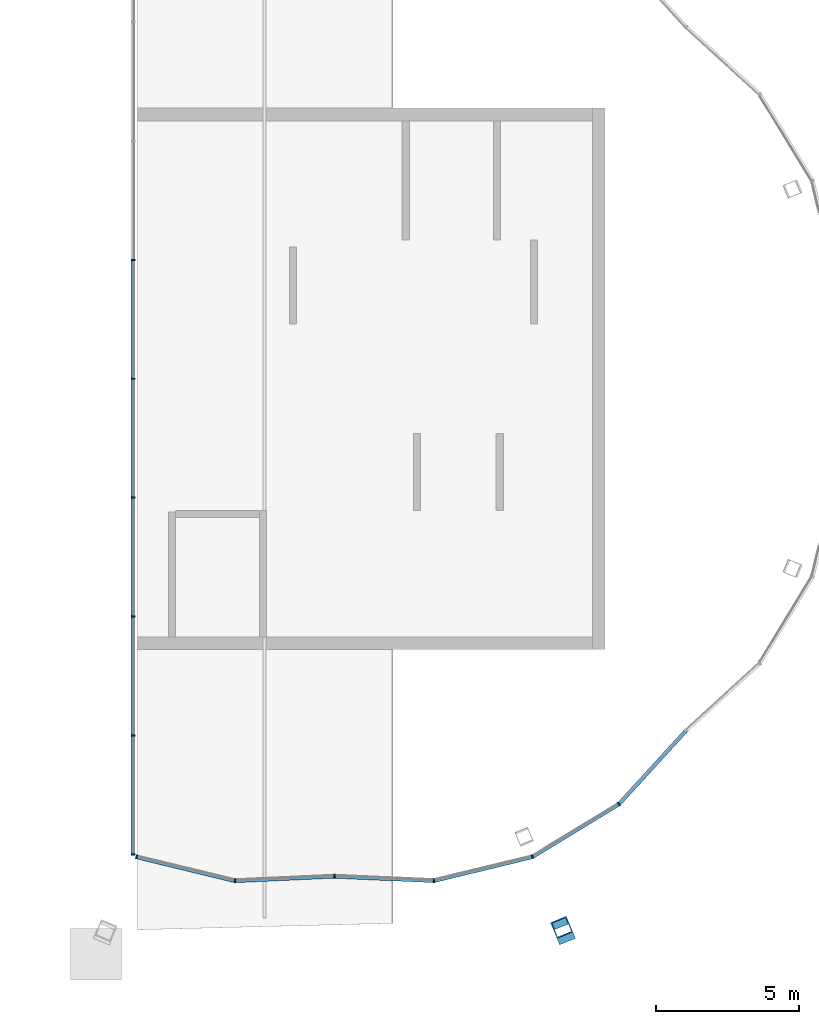
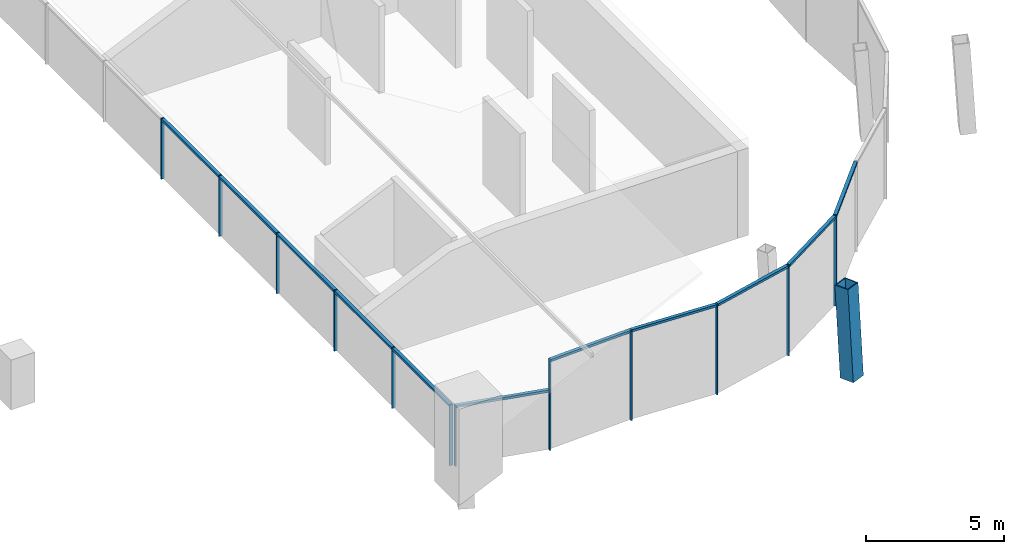
# One storey, part 2 of 14: 24 members, 5 elements without a shape of their own.
"""IFC4 building model written with IfcOpenShell, lengths in metres."""

from ifc_helpers import new_model, si_unit, direction, frame, origin, origin_2d, place, context, subcontext, project, spatial, rectangle, hollow_rectangle, extrude, material, material_profile, profile_set, type_object, element, aggregate, save


model = new_model("IFC4")

# Units and contexts
model_context = context("Model", 3, precision=1e-05, world=origin(), true_north=direction((0.0, 1.0)))
body_context = subcontext(model_context, "Body", "Model", "MODEL_VIEW")
ifc_project = project(units=[si_unit("LENGTHUNIT", "METRE"), si_unit("AREAUNIT", "SQUARE_METRE"), si_unit("VOLUMEUNIT", "CUBIC_METRE"), si_unit("PLANEANGLEUNIT", "RADIAN"), si_unit("MASSUNIT", "GRAM", prefix="KILO")], contexts=[model_context])

# Site, building, storey
site_placement = place(None, origin())
site = spatial("IfcSite", under=ifc_project, at=site_placement, CompositionType="ELEMENT")
building_placement = place(site_placement, origin())
building = spatial("IfcBuilding", under=site, at=building_placement, Name="Ogive Gate Towers", CompositionType="ELEMENT")
storey_placement = place(building_placement, frame((0.0, 0.0, 306.0)))
storey = spatial("IfcBuildingStorey", under=building, at=storey_placement, Name="L72", CompositionType="ELEMENT", Elevation=306.0)

# Curtain wall, members
ifc_material_1 = material(Name="Pale metal aluminium", Category="aluminium")
curtain_wall_type = type_object("IfcCurtainWallType", Name="Crown lean wall", PredefinedType="NOTDEFINED", material=ifc_material_1)
curtain_wall_1_placement = place(storey_placement, origin())
curtain_wall_1 = element("IfcCurtainWall", 1, at=curtain_wall_1_placement, inside=storey, type_object=curtain_wall_type, Name="CW5 T1 ECW04", PredefinedType="NOTDEFINED")
ifc_material_profile_1 = material_profile(ifc_material_1, rectangle(XDim=0.139892578125, YDim=0.050048828125, at=origin_2d()), Name="50 x 140 aluminium box")
ifc_profile_set_1 = profile_set([ifc_material_profile_1], Name="Pale metal aluminium")
member_type_1 = type_object("IfcMemberType", Name="Crown lean wall mullion 50 x 140", PredefinedType="MULLION", material=ifc_profile_set_1)
member_1_placement = place(storey_placement, frame((-43.059326171875, 0.0, -0.300048828125), z_axis=(0.0, 0.0, 1.0), x_axis=(1.0, 0.0, 0.0)))
member_1 = element("IfcMember", 2, at=member_1_placement, type_object=member_type_1, Name="CW5 mullion", PredefinedType="MULLION", context=body_context, shape_type="SweptSolid", body=[
    extrude(rectangle(XDim=0.139892578125, YDim=0.050048828125, at=origin_2d()), origin(), (0.0, 0.0, 1.0), 2.679931640625),
])
member_2_placement = place(storey_placement, frame((-43.059326171875, 4.1708984375, -0.300048828125), z_axis=(0.0, 0.0, 1.0), x_axis=(1.0, 0.0, 0.0)))
member_2 = element("IfcMember", 3, at=member_2_placement, type_object=member_type_1, Name="CW5 mullion", PredefinedType="MULLION", context=body_context, shape_type="SweptSolid", body=[
    extrude(rectangle(XDim=0.139892578125, YDim=0.050048828125, at=origin_2d()), origin(), (0.0, 0.0, 1.0), 2.679931640625),
])

curtain_wall_2_placement = place(storey_placement, origin())
curtain_wall_2 = element("IfcCurtainWall", 4, at=curtain_wall_2_placement, inside=storey, type_object=curtain_wall_type, Name="CW5 T1 ECW05", PredefinedType="NOTDEFINED")
member_3_placement = place(storey_placement, frame((-43.059326171875, -8.342041015625, -0.300048828125), z_axis=(0.0, 0.0, 1.0), x_axis=(1.0, 0.0, 0.0)))
member_3 = element("IfcMember", 5, at=member_3_placement, type_object=member_type_1, Name="CW5 mullion", PredefinedType="MULLION", context=body_context, shape_type="SweptSolid", body=[
    extrude(rectangle(XDim=0.139892578125, YDim=0.050048828125, at=origin_2d()), origin(), (0.0, 0.0, 1.0), 2.679931640625),
])
member_4_placement = place(storey_placement, frame((-43.059326171875, -4.1708984375, -0.300048828125), z_axis=(0.0, 0.0, 1.0), x_axis=(1.0, 0.0, 0.0)))
member_4 = element("IfcMember", 6, at=member_4_placement, type_object=member_type_1, Name="CW5 mullion", PredefinedType="MULLION", context=body_context, shape_type="SweptSolid", body=[
    extrude(rectangle(XDim=0.139892578125, YDim=0.050048828125, at=origin_2d()), origin(), (0.0, 0.0, 1.0), 2.679931640625),
])

curtain_wall_3_placement = place(storey_placement, origin())
curtain_wall_3 = element("IfcCurtainWall", 7, at=curtain_wall_3_placement, inside=storey, type_object=curtain_wall_type, Name="CW5 T1 ECW06", PredefinedType="NOTDEFINED")
member_5_placement = place(storey_placement, frame((-35.99853515625, -17.4501953125, -0.300048828125), z_axis=(0.0, 0.0, 1.0), x_axis=(-0.045275811329, 0.998974524654, 0.0)))
member_5 = element("IfcMember", 8, at=member_5_placement, type_object=member_type_1, Name="CW5 mullion", PredefinedType="MULLION", context=body_context, shape_type="SweptSolid", body=[
    extrude(rectangle(XDim=0.139892578125, YDim=0.050048828125, at=origin_2d()), origin(), (0.0, 0.0, 1.0), 4.0),
])
member_6_placement = place(storey_placement, frame((-39.489013671875, -17.60791015625, -0.300048828125), z_axis=(0.0, 0.0, 1.0), x_axis=(0.096158460724, 0.995366038416, 0.0)))
member_6 = element("IfcMember", 9, at=member_6_placement, type_object=member_type_1, Name="CW5 mullion", PredefinedType="MULLION", context=body_context, shape_type="SweptSolid", body=[
    extrude(rectangle(XDim=0.139892578125, YDim=0.050048828125, at=origin_2d()), origin(), (0.0, 0.0, 1.0), 4.0),
])
member_7_placement = place(storey_placement, frame((-42.94189453125, -16.77099609375, -0.300048828125), z_axis=(0.0, 0.0, 1.0), x_axis=(0.23568492183, 0.971829520864, 0.0)))
member_7 = element("IfcMember", 10, at=member_7_placement, type_object=member_type_1, Name="CW5 mullion", PredefinedType="MULLION", context=body_context, shape_type="SweptSolid", body=[
    extrude(rectangle(XDim=0.139892578125, YDim=0.050048828125, at=origin_2d()), origin(), (0.0, 0.0, 1.0), 2.677734375),
])

curtain_wall_4_placement = place(storey_placement, origin())
curtain_wall_4 = element("IfcCurtainWall", 11, at=curtain_wall_4_placement, inside=storey, type_object=curtain_wall_type, Name="CW5 T1 ECW06b", PredefinedType="NOTDEFINED")
member_8_placement = place(storey_placement, frame((-43.059326171875, -16.68408203125, -0.300048828125), z_axis=(0.0, 0.0, 1.0), x_axis=(1.0, 0.0, 0.0)))
member_8 = element("IfcMember", 12, at=member_8_placement, type_object=member_type_1, Name="CW5 mullion", PredefinedType="MULLION", context=body_context, shape_type="SweptSolid", body=[
    extrude(rectangle(XDim=0.139892578125, YDim=0.050048828125, at=origin_2d()), origin(), (0.0, 0.0, 1.0), 2.679931640625),
])
member_9_placement = place(storey_placement, frame((-43.059326171875, -12.51318359375, -0.300048828125), z_axis=(0.0, 0.0, 1.0), x_axis=(1.0, 0.0, 0.0)))
member_9 = element("IfcMember", 13, at=member_9_placement, type_object=member_type_1, Name="CW5 mullion", PredefinedType="MULLION", context=body_context, shape_type="SweptSolid", body=[
    extrude(rectangle(XDim=0.139892578125, YDim=0.050048828125, at=origin_2d()), origin(), (0.0, 0.0, 1.0), 2.679931640625),
])

curtain_wall_5_placement = place(storey_placement, origin())
curtain_wall_5 = element("IfcCurtainWall", 14, at=curtain_wall_5_placement, inside=storey, type_object=curtain_wall_type, Name="CW5 T1 ECW07", PredefinedType="NOTDEFINED")
member_10_placement = place(storey_placement, frame((-26.016357421875, -14.91796875, -0.300048828125), z_axis=(0.0, 0.0, 1.0), x_axis=(-0.635822304907, 0.771835472483, 0.0)))
member_10 = element("IfcMember", 15, at=member_10_placement, type_object=member_type_1, Name="CW5 mullion", PredefinedType="MULLION", context=body_context, shape_type="SweptSolid", body=[
    extrude(rectangle(XDim=0.139892578125, YDim=0.050048828125, at=origin_2d()), origin(), (0.0, 0.0, 1.0), 4.0),
])
member_11_placement = place(storey_placement, frame((-29.0537109375, -16.76953125, -0.300048828125), z_axis=(0.0, 0.0, 1.0), x_axis=(-0.382667307567, 0.923886211456, 0.0)))
member_11 = element("IfcMember", 16, at=member_11_placement, type_object=member_type_1, Name="CW5 mullion", PredefinedType="MULLION", context=body_context, shape_type="SweptSolid", body=[
    extrude(rectangle(XDim=0.139892578125, YDim=0.050048828125, at=origin_2d()), origin(), (0.0, 0.0, 1.0), 4.0),
])
member_12_placement = place(storey_placement, frame((-32.510986328125, -17.60791015625, -0.300048828125), z_axis=(0.0, 0.0, 1.0), x_axis=(-0.096158460724, 0.995366038416, 0.0)))
member_12 = element("IfcMember", 17, at=member_12_placement, type_object=member_type_1, Name="CW5 mullion", PredefinedType="MULLION", context=body_context, shape_type="SweptSolid", body=[
    extrude(rectangle(XDim=0.139892578125, YDim=0.050048828125, at=origin_2d()), origin(), (0.0, 0.0, 1.0), 4.0),
])

# Member
ifc_material_profile_2 = material_profile(ifc_material_1, rectangle(XDim=0.139892578125, YDim=0.10009765625, at=origin_2d()), Name="100 x 140 aluminium box")
ifc_profile_set_2 = profile_set([ifc_material_profile_2], Name="Pale metal aluminium")
member_type_2 = type_object("IfcMemberType", Name="Crown lean wall transom 100 x 140", PredefinedType="USERDEFINED", material=ifc_profile_set_2)
member_13_placement = place(storey_placement, frame((-43.059326171875, 0.02490234375, 2.330078125), z_axis=(0.0, 1.0, 0.0), x_axis=(-1.0, 0.0, 0.0)))
member_13 = element("IfcMember", 18, at=member_13_placement, type_object=member_type_2, Name="CW5 transom", ObjectType="TRANSOM", PredefinedType="USERDEFINED", context=body_context, shape_type="SweptSolid", body=[
    extrude(rectangle(XDim=0.139892578125, YDim=0.10009765625, at=origin_2d()), origin(), (0.0, 0.0, 1.0), 4.12109375),
])

aggregate(curtain_wall_1, [member_1, member_2, member_13])

member_14_placement = place(storey_placement, frame((-43.059326171875, -8.31689453125, 2.330078125), z_axis=(0.0, 1.0, 0.0), x_axis=(-1.0, 0.0, 0.0)))
member_14 = element("IfcMember", 19, at=member_14_placement, type_object=member_type_2, Name="CW5 transom", ObjectType="TRANSOM", PredefinedType="USERDEFINED", context=body_context, shape_type="SweptSolid", body=[
    extrude(rectangle(XDim=0.139892578125, YDim=0.10009765625, at=origin_2d()), origin(), (0.0, 0.0, 1.0), 4.120849609375),
])

member_15_placement = place(storey_placement, frame((-43.059326171875, -4.14599609375, 2.330078125), z_axis=(0.0, 1.0, 0.0), x_axis=(-1.0, 0.0, 0.0)))
member_15 = element("IfcMember", 20, at=member_15_placement, type_object=member_type_2, Name="CW5 transom", ObjectType="TRANSOM", PredefinedType="USERDEFINED", context=body_context, shape_type="SweptSolid", body=[
    extrude(rectangle(XDim=0.139892578125, YDim=0.10009765625, at=origin_2d()), origin(), (0.0, 0.0, 1.0), 4.12109375),
])

aggregate(curtain_wall_2, [member_3, member_4, member_14, member_15])

member_16_placement = place(storey_placement, frame((-36.023681640625, -17.451171875, 3.64990234375), z_axis=(-0.998974239594, -0.045282100523, 0.0), x_axis=(0.045282100523, -0.998974239594, 0.0)))
member_16 = element("IfcMember", 21, at=member_16_placement, type_object=member_type_2, Name="CW5 transom", ObjectType="TRANSOM", PredefinedType="USERDEFINED", context=body_context, shape_type="SweptSolid", body=[
    extrude(rectangle(XDim=0.139892578125, YDim=0.10009765625, at=origin_2d()), origin(), (0.0, 0.0, 1.0), 3.439697265625),
])

member_17_placement = place(storey_placement, frame((-39.517578125, -17.601318359375, 2.32763671875), z_axis=(-0.971834124793, 0.235665937055, 0.0), x_axis=(-0.235665937055, -0.971834124793, 0.0)))
member_17 = element("IfcMember", 22, at=member_17_placement, type_object=member_type_2, Name="CW5 transom", ObjectType="TRANSOM", PredefinedType="USERDEFINED", context=body_context, shape_type="SweptSolid", body=[
    extrude(rectangle(XDim=0.139892578125, YDim=0.10009765625, at=origin_2d()), origin(), (0.0, 0.0, 1.0), 3.49853515625),
])

aggregate(curtain_wall_3, [member_5, member_6, member_16, member_7, member_17])

member_18_placement = place(storey_placement, frame((-43.059326171875, -16.6591796875, 2.330078125), z_axis=(0.0, 1.0, 0.0), x_axis=(-1.0, 0.0, 0.0)))
member_18 = element("IfcMember", 23, at=member_18_placement, type_object=member_type_2, Name="CW5 transom", ObjectType="TRANSOM", PredefinedType="USERDEFINED", context=body_context, shape_type="SweptSolid", body=[
    extrude(rectangle(XDim=0.139892578125, YDim=0.10009765625, at=origin_2d()), origin(), (0.0, 0.0, 1.0), 4.12109375),
])

member_19_placement = place(storey_placement, frame((-43.059326171875, -12.488037109375, 2.330078125), z_axis=(0.0, 1.0, 0.0), x_axis=(-1.0, 0.0, 0.0)))
member_19 = element("IfcMember", 24, at=member_19_placement, type_object=member_type_2, Name="CW5 transom", ObjectType="TRANSOM", PredefinedType="USERDEFINED", context=body_context, shape_type="SweptSolid", body=[
    extrude(rectangle(XDim=0.139892578125, YDim=0.10009765625, at=origin_2d()), origin(), (0.0, 0.0, 1.0), 4.12109375),
])

aggregate(curtain_wall_4, [member_8, member_9, member_18, member_19])

member_20_placement = place(storey_placement, frame((-23.6767578125, -12.356689453125, 3.64990234375), z_axis=(-0.674409034636, -0.738357944361, 0.0), x_axis=(0.738357944361, -0.674409034636, 0.0)))
member_20 = element("IfcMember", 25, at=member_20_placement, type_object=member_type_2, Name="CW5 transom", ObjectType="TRANSOM", PredefinedType="USERDEFINED", context=body_context, shape_type="SweptSolid", body=[
    extrude(rectangle(XDim=0.139892578125, YDim=0.10009765625, at=origin_2d()), origin(), (0.0, 0.0, 1.0), 3.439697265625),
])

member_21_placement = place(storey_placement, frame((-26.041259765625, -14.933349609375, 3.64990234375), z_axis=(-0.853838541215, -0.520537938613, 0.0), x_axis=(0.520537938613, -0.853838541215, 0.0)))
member_21 = element("IfcMember", 26, at=member_21_placement, type_object=member_type_2, Name="CW5 transom", ObjectType="TRANSOM", PredefinedType="USERDEFINED", context=body_context, shape_type="SweptSolid", body=[
    extrude(rectangle(XDim=0.139892578125, YDim=0.10009765625, at=origin_2d()), origin(), (0.0, 0.0, 1.0), 3.498291015625),
])

member_22_placement = place(storey_placement, frame((-29.08251953125, -16.77685546875, 3.64990234375), z_axis=(-0.971834124793, -0.235665937055, 0.0), x_axis=(0.235665937055, -0.971834124793, 0.0)))
member_22 = element("IfcMember", 27, at=member_22_placement, type_object=member_type_2, Name="CW5 transom", ObjectType="TRANSOM", PredefinedType="USERDEFINED", context=body_context, shape_type="SweptSolid", body=[
    extrude(rectangle(XDim=0.139892578125, YDim=0.10009765625, at=origin_2d()), origin(), (0.0, 0.0, 1.0), 3.49853515625),
])

member_23_placement = place(storey_placement, frame((-32.5400390625, -17.60693359375, 3.64990234375), z_axis=(-0.998974239594, 0.045282100523, 0.0), x_axis=(-0.045282100523, -0.998974239594, 0.0)))
member_23 = element("IfcMember", 28, at=member_23_placement, type_object=member_type_2, Name="CW5 transom", ObjectType="TRANSOM", PredefinedType="USERDEFINED", context=body_context, shape_type="SweptSolid", body=[
    extrude(rectangle(XDim=0.139892578125, YDim=0.10009765625, at=origin_2d()), origin(), (0.0, 0.0, 1.0), 3.439697265625),
])

aggregate(curtain_wall_5, [member_10, member_20, member_11, member_21, member_12, member_22, member_23])

ifc_material_2 = material(Name="Steel SM460", Category="steel")
ifc_material_profile_3 = material_profile(ifc_material_2, hollow_rectangle(XDim=0.60009765625, YDim=0.60009765625, WallThickness=0.0400390625, at=origin_2d()), Name="BX 600x600x40")
ifc_profile_set_3 = profile_set([ifc_material_profile_3], Name="Steel SM460")
member_type_3 = type_object("IfcMemberType", Name="Crown rib BX 600x600x40", PredefinedType="MEMBER", material=ifc_profile_set_3)
member_24_placement = place(storey_placement, frame((-27.9365234375, -19.467041015625, 0.0), z_axis=(-0.023332943868, 0.056352410126, 0.998138256758), x_axis=(-0.923931628801, -0.382557636574, 0.0)))
element("IfcMember", 29, at=member_24_placement, inside=storey, type_object=member_type_3, Name="T1/L72/STR005", PredefinedType="MEMBER", context=body_context, shape_type="SweptSolid", body=[
    extrude(hollow_rectangle(XDim=0.60009765625, YDim=0.60009765625, WallThickness=0.0400390625, at=origin_2d()), origin(), (0.0, 0.0, 1.0), 4.007568359375),
])

save(model, "model.ifc")
